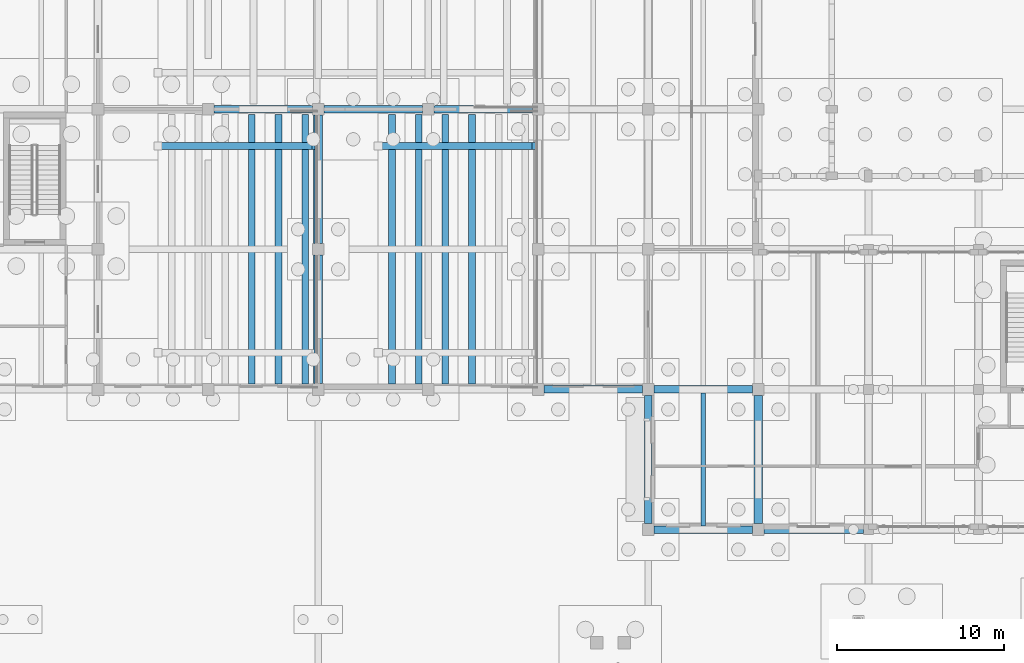
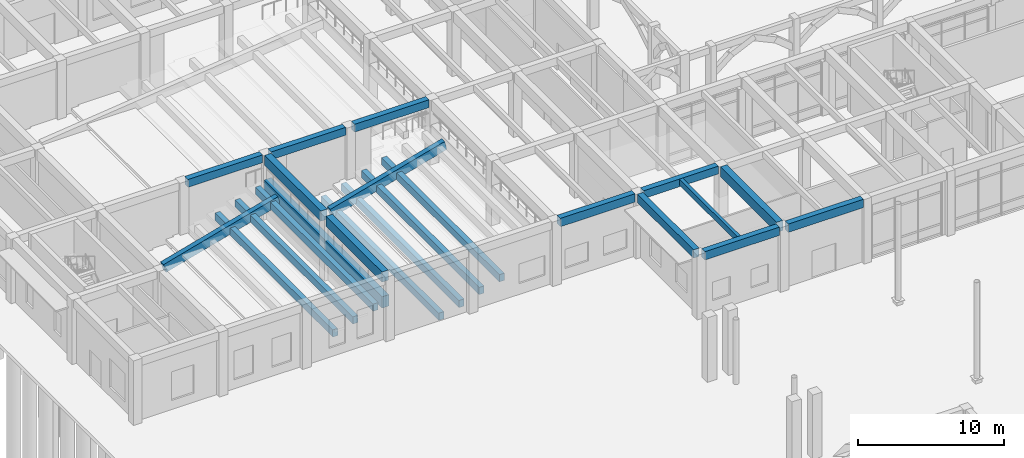
# One storey, part 24 of 82: 22 beams.
"""IFC4 building model written with IfcOpenShell, lengths in metres."""

from ifc_helpers import new_model, si_unit, direction, frame, origin, origin_2d, place, context, subcontext, project, spatial, rectangle, extrude, material, material_profile, profile_set, type_object, element, save


model = new_model("IFC4")

# Units and contexts
model_context = context("Model", 3, precision=1e-05, world=origin(), true_north=direction((0.0, 1.0)))
body_context = subcontext(model_context, "Body", "Model", "MODEL_VIEW")
ifc_project = project(units=[si_unit("LENGTHUNIT", "METRE"), si_unit("AREAUNIT", "SQUARE_METRE"), si_unit("VOLUMEUNIT", "CUBIC_METRE"), si_unit("PLANEANGLEUNIT", "RADIAN"), si_unit("MASSUNIT", "GRAM", prefix="KILO")], contexts=[model_context])

# Site, building, storey
site_placement = place(None, origin())
site = spatial("IfcSite", under=ifc_project, at=site_placement, CompositionType="ELEMENT")
building_placement = place(site_placement, origin())
building = spatial("IfcBuilding", under=site, at=building_placement, Name="Kolvaren Faculty of Natural Sciences", CompositionType="ELEMENT")
storey_placement = place(building_placement, origin())
storey = spatial("IfcBuildingStorey", under=building, at=storey_placement, Name="L00", CompositionType="ELEMENT", Elevation=0.0)

# Beams
ifc_material_1 = material(Name="Concrete C35/45", Category="concrete")
ifc_material_profile_1 = material_profile(ifc_material_1, rectangle(XDim=0.39990234375, YDim=0.60009765625, at=origin_2d()), Name="RC BM 400x600")
ifc_profile_set_1 = profile_set([ifc_material_profile_1], Name="Concrete C35/45")
beam_type_1 = type_object("IfcBeamType", Name="GridBeam_400x600", PredefinedType="BEAM", material=ifc_profile_set_1)
for number, where, z_axis, x_axis, name in (
    (1, (16.02490234375, 76.1201171875, 1.639892578125), (0.0, 1.0, 0.0), (-1.0, 0.0, 0.0), "Lecture theatre LT-2 tier 4 transverse support beam"),
    (2, (17.625, 76.1201171875, 2.169921875), (0.0, 1.0, 0.0), (-1.0, 0.0, 0.0), "Lecture theatre LT-2 tier 5 transverse support beam"),
    (3, (19.22509765625, 76.1201171875, 2.679931640625), (0.0, 1.0, 0.0), (-1.0, 0.0, 0.0), "Lecture theatre LT-2 tier 6 transverse support beam"),
    (4, (24.425048828125, 76.1201171875, 0.090087890625), (0.0, 1.0, 0.0), (-1.0, 0.0, 0.0), "Lecture theatre LT-3 tier 1 transverse support beam"),
    (5, (26.02490234375, 76.1201171875, 0.60009765625), (0.0, 1.0, 0.0), (-1.0, 0.0, 0.0), "Lecture theatre LT-3 tier 2 transverse support beam"),
    (6, (27.625, 76.1201171875, 1.1298828125), (0.0, 1.0, 0.0), (-1.0, 0.0, 0.0), "Lecture theatre LT-3 tier 3 transverse support beam"),
    (7, (29.22509765625, 76.1201171875, 1.639892578125), (0.0, 1.0, 0.0), (-1.0, 0.0, 0.0), "Lecture theatre LT-3 tier 4 transverse support beam"),
):
    element("IfcBeam", number, at=place(storey_placement, frame(where, z_axis=z_axis, x_axis=x_axis)), inside=storey, type_object=beam_type_1, Name=name, PredefinedType="BEAM", context=body_context, shape_type="SweptSolid", body=[
        extrude(rectangle(XDim=0.39990234375, YDim=0.60009765625, at=origin_2d()), origin(), (0.0, 0.0, 1.0), 16.159912109375),
    ])
ifc_material_profile_2 = material_profile(ifc_material_1, rectangle(XDim=0.449951171875, YDim=0.64990234375, at=origin_2d()), Name="RC BM 450x650")
ifc_profile_set_2 = profile_set([ifc_material_profile_2], Name="Concrete C35/45")
beam_type_2 = type_object("IfcBeamType", Name="GridBeam_450x650", PredefinedType="BEAM", material=ifc_profile_set_2)
beam_1_placement = place(storey_placement, frame((40.14990234375, 75.800048828125, 5.074951171875), z_axis=(1.0, 0.0, 0.0), x_axis=(0.0, 1.0, 0.0)))
element("IfcBeam", 8, at=beam_1_placement, inside=storey, type_object=beam_type_2, Name="L00 beam BM-65 on grid K", PredefinedType="BEAM", context=body_context, shape_type="SweptSolid", body=[
    extrude(rectangle(XDim=0.449951171875, YDim=0.64990234375, at=origin_2d()), origin(), (0.0, 0.0, 1.0), 5.900146484375),
])
for number, where, z_axis, x_axis, name in (
    (9, (13.75, 92.60009765625, 5.074951171875), (1.0, 0.0, 0.0), (0.0, 1.0, 0.0), "L00 beam BM-65 on grid M"),
    (10, (20.35009765625, 92.60009765625, 5.074951171875), (1.0, 0.0, 0.0), (0.0, 1.0, 0.0), "L00 beam BM-65 on grid M"),
):
    element("IfcBeam", number, at=place(storey_placement, frame(where, z_axis=z_axis, x_axis=x_axis)), inside=storey, type_object=beam_type_2, Name=name, PredefinedType="BEAM", context=body_context, shape_type="SweptSolid", body=[
        extrude(rectangle(XDim=0.449951171875, YDim=0.64990234375, at=origin_2d()), origin(), (0.0, 0.0, 1.0), 5.89990234375),
    ])
beam_2_placement = place(storey_placement, frame((26.949951171875, 92.60009765625, 5.074951171875), z_axis=(1.0, 0.0, 0.0), x_axis=(0.0, 1.0, 0.0)))
element("IfcBeam", 11, at=beam_2_placement, inside=storey, type_object=beam_type_2, Name="L00 beam BM-65 on grid M", PredefinedType="BEAM", context=body_context, shape_type="SweptSolid", body=[
    extrude(rectangle(XDim=0.449951171875, YDim=0.64990234375, at=origin_2d()), origin(), (0.0, 0.0, 1.0), 5.900146484375),
])
ifc_material_2 = material(Name="Concrete C40/50", Category="concrete")
ifc_material_profile_3 = material_profile(ifc_material_2, rectangle(XDim=0.550048828125, YDim=0.949951171875, at=origin_2d()), Name="RC BM 550x950")
ifc_profile_set_3 = profile_set([ifc_material_profile_3], Name="Concrete C40/50")
beam_type_3 = type_object("IfcBeamType", Name="HallGirder_550x950", PredefinedType="BEAM", material=ifc_profile_set_3)
beam_3_placement = place(storey_placement, frame((20.0, 76.1201171875, 2.8701171875), z_axis=(0.0, 1.0, 0.0), x_axis=(-1.0, 0.0, 0.0)))
element("IfcBeam", 12, at=beam_3_placement, inside=storey, type_object=beam_type_3, Name="Lecture theatre LT-2 raker header girder", PredefinedType="BEAM", context=body_context, shape_type="SweptSolid", body=[
    extrude(rectangle(XDim=0.550048828125, YDim=0.949951171875, at=origin_2d()), origin(), (0.0, 0.0, 1.0), 16.159912109375),
])
ifc_material_profile_4 = material_profile(ifc_material_1, rectangle(XDim=0.260009765625, YDim=0.5, at=origin_2d()), Name="RC JST 260x500")
ifc_profile_set_4 = profile_set([ifc_material_profile_4], Name="Concrete C35/45")
beam_type_4 = type_object("IfcBeamType", Name="LabRibJoist_260x500", PredefinedType="JOIST", material=ifc_profile_set_4)
beam_4_placement = place(storey_placement, frame((43.10009765625, 67.625, 5.14990234375), z_axis=(0.0, 1.0, 0.0), x_axis=(-1.0, 0.0, 0.0)))
element("IfcBeam", 13, at=beam_4_placement, inside=storey, type_object=beam_type_4, Name="L00 ribbed laboratory slab joist JS-50", PredefinedType="JOIST", context=body_context, shape_type="SweptSolid", body=[
    extrude(rectangle(XDim=0.260009765625, YDim=0.5, at=origin_2d()), origin(), (0.0, 0.0, 1.0), 7.949951171875),
])
ifc_material_profile_5 = material_profile(ifc_material_1, rectangle(XDim=0.39990234375, YDim=0.75, at=origin_2d()), Name="RC RK 400x750")
ifc_profile_set_5 = profile_set([ifc_material_profile_5], Name="Concrete C35/45")
beam_type_5 = type_object("IfcBeamType", Name="LectureTierRaker_400x750", PredefinedType="BEAM", material=ifc_profile_set_5)
beam_5_placement = place(storey_placement, frame((10.64990234375, 90.39990234375, 0.35009765625), z_axis=(0.963502674178, 0.0, 0.267698705361), x_axis=(0.0, 1.0, 0.0)))
element("IfcBeam", 14, at=beam_5_placement, inside=storey, type_object=beam_type_5, Name="Lecture theatre LT-2 raker beam 2", PredefinedType="BEAM", context=body_context, shape_type="SweptSolid", body=[
    extrude(rectangle(XDim=0.39990234375, YDim=0.75, at=origin_2d()), origin(), (0.0, 0.0, 1.0), 9.41357421875),
])
beam_6_placement = place(storey_placement, frame((23.85009765625, 90.39990234375, 0.35009765625), z_axis=(0.963500815555, 0.0, 0.267705394836), x_axis=(0.0, 1.0, 0.0)))
element("IfcBeam", 15, at=beam_6_placement, inside=storey, type_object=beam_type_5, Name="Lecture theatre LT-3 raker beam 2", PredefinedType="BEAM", context=body_context, shape_type="SweptSolid", body=[
    extrude(rectangle(XDim=0.39990234375, YDim=0.75, at=origin_2d()), origin(), (0.0, 0.0, 1.0), 9.413330078125),
])
ifc_material_profile_6 = material_profile(ifc_material_1, rectangle(XDim=0.449951171875, YDim=0.699951171875, at=origin_2d()), Name="RC SP 450x700")
ifc_profile_set_6 = profile_set([ifc_material_profile_6], Name="Concrete C35/45")
beam_type_6 = type_object("IfcBeamType", Name="PerimeterSpandrel_450x700", PredefinedType="SPANDREL", material=ifc_profile_set_6)
beam_7_placement = place(storey_placement, frame((40.14990234375, 67.39990234375, 5.050048828125), z_axis=(1.0, 0.0, 0.0), x_axis=(0.0, 1.0, 0.0)))
element("IfcBeam", 16, at=beam_7_placement, inside=storey, type_object=beam_type_6, Name="L00 spandrel SP-70 on grid J", PredefinedType="SPANDREL", context=body_context, shape_type="SweptSolid", body=[
    extrude(rectangle(XDim=0.449951171875, YDim=0.699951171875, at=origin_2d()), origin(), (0.0, 0.0, 1.0), 5.900146484375),
])
beam_8_placement = place(storey_placement, frame((46.75, 67.39990234375, 5.050048828125), z_axis=(1.0, 0.0, 0.0), x_axis=(0.0, 1.0, 0.0)))
element("IfcBeam", 17, at=beam_8_placement, inside=storey, type_object=beam_type_6, Name="L00 spandrel SP-70 on grid J", PredefinedType="SPANDREL", context=body_context, shape_type="SweptSolid", body=[
    extrude(rectangle(XDim=0.449951171875, YDim=0.699951171875, at=origin_2d()), origin(), (0.0, 0.0, 1.0), 5.949951171875),
])
beam_9_placement = place(storey_placement, frame((33.550048828125, 75.800048828125, 5.050048828125), z_axis=(1.0, 0.0, 0.0), x_axis=(0.0, 1.0, 0.0)))
element("IfcBeam", 18, at=beam_9_placement, inside=storey, type_object=beam_type_6, Name="L00 spandrel SP-70 on grid K", PredefinedType="SPANDREL", context=body_context, shape_type="SweptSolid", body=[
    extrude(rectangle(XDim=0.449951171875, YDim=0.699951171875, at=origin_2d()), origin(), (0.0, 0.0, 1.0), 5.89990234375),
])
beam_10_placement = place(storey_placement, frame((39.800048828125, 67.75, 5.050048828125), z_axis=(0.0, 1.0, 0.0), x_axis=(-1.0, 0.0, 0.0)))
element("IfcBeam", 19, at=beam_10_placement, inside=storey, type_object=beam_type_6, Name="L00 girder SP-70 on grid 7", PredefinedType="SPANDREL", context=body_context, shape_type="SweptSolid", body=[
    extrude(rectangle(XDim=0.449951171875, YDim=0.699951171875, at=origin_2d()), origin(), (0.0, 0.0, 1.0), 7.699951171875),
])
ifc_material_profile_7 = material_profile(ifc_material_1, rectangle(XDim=0.5, YDim=0.85009765625, at=origin_2d()), Name="RC BM 500x850")
ifc_profile_set_7 = profile_set([ifc_material_profile_7], Name="Concrete C35/45")
beam_type_7 = type_object("IfcBeamType", Name="PrimaryGirder_500x850", PredefinedType="BEAM", material=ifc_profile_set_7)
beam_11_placement = place(storey_placement, frame((20.0, 76.14990234375, 4.97509765625), z_axis=(0.0, 1.0, 0.0), x_axis=(-1.0, 0.0, 0.0)))
element("IfcBeam", 20, at=beam_11_placement, inside=storey, type_object=beam_type_7, Name="L00 girder BG-85 on grid 4", PredefinedType="BEAM", context=body_context, shape_type="SweptSolid", body=[
    extrude(rectangle(XDim=0.5, YDim=0.85009765625, at=origin_2d()), origin(), (0.0, 0.0, 1.0), 7.7001953125),
])
for number, where, z_axis, x_axis, name in (
    (21, (20.0, 84.550048828125, 4.97509765625), (0.0, 1.0, 0.0), (-1.0, 0.0, 0.0), "L00 girder BG-85 on grid 4"),
    (22, (46.39990234375, 67.75, 4.97509765625), (0.0, 1.0, 0.0), (-1.0, 0.0, 0.0), "L00 girder BG-85 on grid 8"),
):
    element("IfcBeam", number, at=place(storey_placement, frame(where, z_axis=z_axis, x_axis=x_axis)), inside=storey, type_object=beam_type_7, Name=name, PredefinedType="BEAM", context=body_context, shape_type="SweptSolid", body=[
        extrude(rectangle(XDim=0.5, YDim=0.85009765625, at=origin_2d()), origin(), (0.0, 0.0, 1.0), 7.699951171875),
    ])

save(model, "model.ifc")
